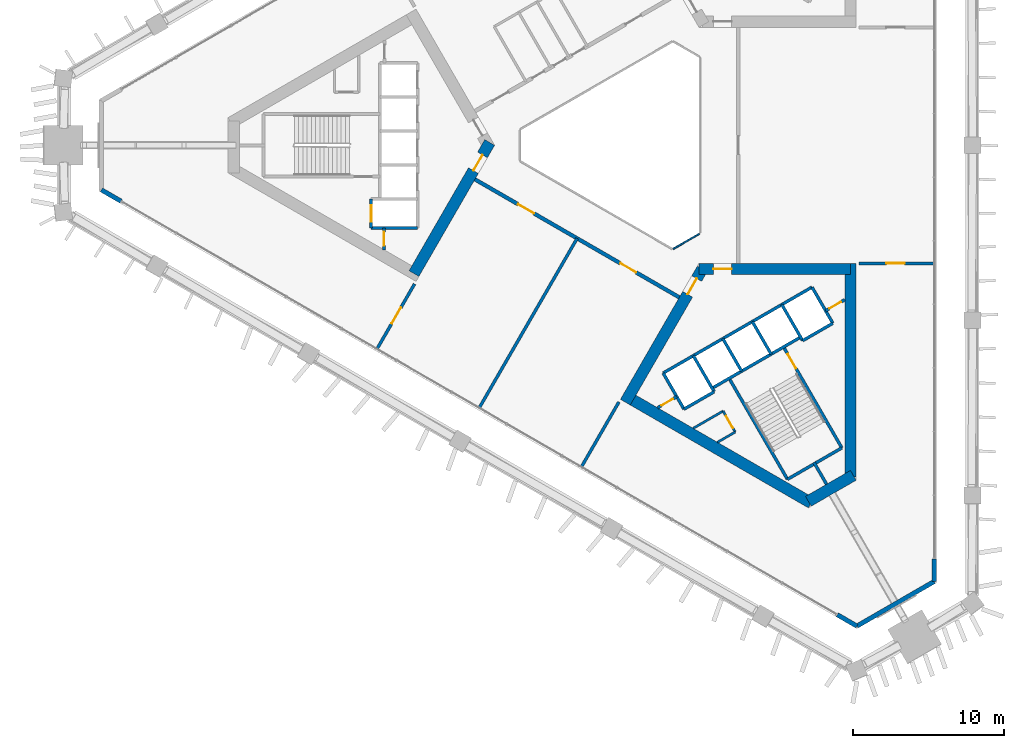
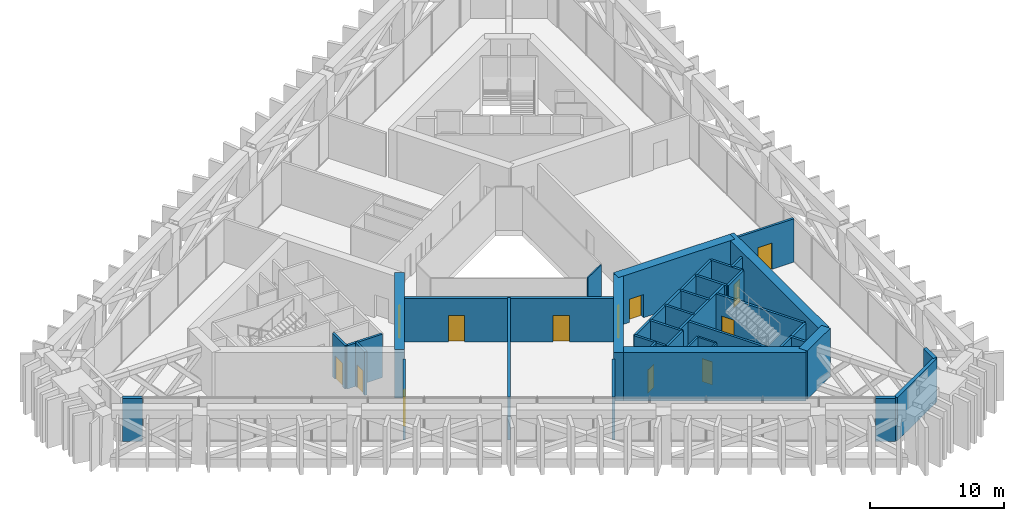
# One storey, part 12 of 17: 38 walls, 13 doors, 13 openings.
"""IFC4 building model written with IfcOpenShell, lengths in metres."""

from ifc_helpers import new_model, si_unit, direction, frame, frame_2d, origin, place, context, subcontext, project, spatial, rectangle, extrude, material, layer, layer_set, type_object, element, fill, save


model = new_model("IFC4")

# Units and contexts
model_context = context("Model", 3, precision=1e-05, world=origin(), true_north=direction((0.0, 1.0)))
body_context = subcontext(model_context, "Body", "Model", "MODEL_VIEW")
ifc_project = project(units=[si_unit("LENGTHUNIT", "METRE"), si_unit("AREAUNIT", "SQUARE_METRE"), si_unit("VOLUMEUNIT", "CUBIC_METRE"), si_unit("PLANEANGLEUNIT", "RADIAN"), si_unit("MASSUNIT", "GRAM", prefix="KILO")], contexts=[model_context])

# Site, building, storey
site_placement = place(None, origin())
site = spatial("IfcSite", under=ifc_project, at=site_placement, CompositionType="ELEMENT")
building_placement = place(site_placement, origin())
building = spatial("IfcBuilding", under=site, at=building_placement, Name="Jabali Bay Hotel Tower and Convention Centre", CompositionType="ELEMENT")
storey_placement = place(building_placement, frame((0.0, 0.0, 102.39990234375)))
storey = spatial("IfcBuildingStorey", under=building, at=storey_placement, Name="L24", CompositionType="ELEMENT", Elevation=102.39990234375)

# Wall
ifc_material_1 = material(Name="Fire-resistant glazing", Category="glass")
ifc_layer_1 = layer(ifc_material_1, 0.10009765625)
ifc_layer_set_1 = layer_set([ifc_layer_1], Name="Fire-resistant glazing")
wall_type_1 = type_object("IfcWallType", Name="Atrium glazed screen 100", PredefinedType="PARTITIONING", material=ifc_layer_set_1)
wall_1_placement = place(storey_placement, frame((77.7978515625, 73.15380859375, 0.0), z_axis=(0.0, 0.0, 1.0), x_axis=(0.866041268327, 0.499972520799, 0.0)))
element("IfcWall", 1, at=wall_1_placement, inside=storey, type_object=wall_type_1, Name="Atrium screen 6 L24", PredefinedType="PARTITIONING", context=body_context, shape_type="SweptSolid", body=[
    extrude(rectangle(XDim=2.0, YDim=0.10009765625, at=frame_2d((1.0, 0.0))), origin(), (0.0, 0.0, 1.0), 3.9501953125),
])

# Wall, opening, door
ifc_material_2 = material(Name="Concrete C40", Category="concrete")
ifc_layer_2 = layer(ifc_material_2, 0.199951171875)
ifc_layer_set_2 = layer_set([ifc_layer_2], Name="Concrete C40")
wall_type_2 = type_object("IfcWallType", Name="Core partition wall 200", PredefinedType="PARTITIONING", material=ifc_layer_set_2)
wall_2_placement = place(storey_placement, frame((58.699951171875, 74.550048828125, 0.0), z_axis=(0.0, 0.0, 1.0), x_axis=(0.0, -1.0, 0.0)))
wall_2 = element("IfcWall", 2, at=wall_2_placement, inside=storey, type_object=wall_type_2, Name="Core wall 0.12 L24", PredefinedType="PARTITIONING", context=body_context, shape_type="SweptSolid", body=[
    extrude(rectangle(XDim=1.455078125, YDim=0.199951171875, at=frame_2d((0.7275390625, 0.0))), origin(), (0.0, 0.0, 1.0), 3.9501953125),
])
opening_1_placement = place(wall_2_placement, frame((0.277587890625, 0.0, 0.0)))
opening_1 = element("IfcOpeningElement", 3, at=opening_1_placement, cuts=wall_2, Name="Opening D548", PredefinedType="OPENING", context=body_context, shape_type="SweptSolid", body=[
    extrude(rectangle(XDim=0.89990234375, YDim=2.10009765625, at=frame_2d((0.449951171875, 1.050048828125))), frame((0.0, 0.1103515625, 0.0), z_axis=(0.0, -1.0, 0.0), x_axis=(1.0, 0.0, 0.0)), (0.0, 0.0, 1.0), 0.220947265625),
])
ifc_material_3 = material(Name="Fire-rated steel door", Category="steel")
door_type_1 = type_object("IfcDoorType", Name="Vestibule fire door 900 x 2100", OperationType="NOTDEFINED", PredefinedType="NOTDEFINED", material=ifc_material_3)
door_1_placement = place(opening_1_placement, origin())
door_1 = element("IfcDoor", 4, at=door_1_placement, inside=storey, type_object=door_type_1, Name="Vestibule fire door D548", OperationType="SINGLE_SWING_LEFT", OverallHeight=2.10009765625, OverallWidth=0.89990234375, PredefinedType="NOTDEFINED", context=body_context, shape_type="SweptSolid", body=[
    extrude(rectangle(XDim=0.89990234375, YDim=2.10009765625, at=frame_2d((0.449951171875, 1.050048828125))), frame((0.0, 0.02490234375, 0.0), z_axis=(0.0, -1.0, 0.0), x_axis=(1.0, 0.0, 0.0)), (0.0, 0.0, 1.0), 0.050048828125),
])
fill(opening_1, door_1)

# Wall
wall_3_placement = place(storey_placement, frame((87.090087890625, 59.0595703125, 0.0), z_axis=(0.0, 0.0, 1.0), x_axis=(0.499937194881, -0.866061661301, 0.0)))
element("IfcWall", 5, at=wall_3_placement, inside=storey, type_object=wall_type_2, Name="Core wall 2.5 L24", PredefinedType="PARTITIONING", context=body_context, shape_type="SweptSolid", body=[
    extrude(rectangle(XDim=1.673095703125, YDim=0.199951171875, at=frame_2d((0.83642578125, 0.0))), origin(), (0.0, 0.0, 1.0), 3.9501953125),
])

# Wall, opening, door
wall_4_placement = place(storey_placement, frame((76.77001953125, 62.662109375, 0.0), z_axis=(0.0, 0.0, 1.0), x_axis=(0.866054810376, 0.49994906283, 0.0)))
wall_4 = element("IfcWall", 6, at=wall_4_placement, inside=storey, type_object=wall_type_2, Name="Core wall 2.11 L24", PredefinedType="PARTITIONING", context=body_context, shape_type="SweptSolid", body=[
    extrude(rectangle(XDim=1.461181640625, YDim=0.199951171875, at=frame_2d((0.73046875, 0.0))), origin(), (0.0, 0.0, 1.0), 3.9501953125),
])
opening_2_placement = place(wall_4_placement, frame((0.280517578125, 0.0, 0.0)))
opening_2 = element("IfcOpeningElement", 7, at=opening_2_placement, cuts=wall_4, Name="Opening D561", PredefinedType="OPENING", context=body_context, shape_type="SweptSolid", body=[
    extrude(rectangle(XDim=0.89990234375, YDim=2.10009765625, at=frame_2d((0.449951171875, 1.050048828125))), frame((0.0, 0.1103515625, 0.0), z_axis=(0.0, -1.0, 0.0), x_axis=(1.0, 0.0, 0.0)), (0.0, 0.0, 1.0), 0.220947265625),
])
door_2_placement = place(opening_2_placement, origin())
door_2 = element("IfcDoor", 8, at=door_2_placement, inside=storey, type_object=door_type_1, Name="Vestibule fire door D561", OperationType="SINGLE_SWING_LEFT", OverallHeight=2.10009765625, OverallWidth=0.89990234375, PredefinedType="NOTDEFINED", context=body_context, shape_type="SweptSolid", body=[
    extrude(rectangle(XDim=0.89990234375, YDim=2.10009765625, at=frame_2d((0.449951171875, 1.050048828125))), frame((0.0, 0.02490234375, 0.0), z_axis=(0.0, -1.0, 0.0), x_axis=(1.0, 0.0, 0.0)), (0.0, 0.0, 1.0), 0.050048828125),
])
fill(opening_2, door_2)

wall_5_placement = place(storey_placement, frame((87.86474609375, 69.067626953125, 0.0), z_axis=(0.0, 0.0, 1.0), x_axis=(0.865982457891, 0.500074377092, 0.0)))
wall_5 = element("IfcWall", 9, at=wall_5_placement, inside=storey, type_object=wall_type_2, Name="Core wall 2.12 L24", PredefinedType="PARTITIONING", context=body_context, shape_type="SweptSolid", body=[
    extrude(rectangle(XDim=1.461181640625, YDim=0.199951171875, at=frame_2d((0.73046875, 0.0))), origin(), (0.0, 0.0, 1.0), 3.9501953125),
])
opening_3_placement = place(wall_5_placement, frame((0.280517578125, 0.0, 0.0)))
opening_3 = element("IfcOpeningElement", 10, at=opening_3_placement, cuts=wall_5, Name="Opening D560", PredefinedType="OPENING", context=body_context, shape_type="SweptSolid", body=[
    extrude(rectangle(XDim=0.89990234375, YDim=2.10009765625, at=frame_2d((0.449951171875, 1.050048828125))), frame((0.0, 0.1103515625, 0.0), z_axis=(0.0, -1.0, 0.0), x_axis=(1.0, 0.0, 0.0)), (0.0, 0.0, 1.0), 0.220947265625),
])
door_3_placement = place(opening_3_placement, origin())
door_3 = element("IfcDoor", 11, at=door_3_placement, inside=storey, type_object=door_type_1, Name="Vestibule fire door D560", OperationType="SINGLE_SWING_LEFT", OverallHeight=2.10009765625, OverallWidth=0.89990234375, PredefinedType="NOTDEFINED", context=body_context, shape_type="SweptSolid", body=[
    extrude(rectangle(XDim=0.89990234375, YDim=2.10009765625, at=frame_2d((0.449951171875, 1.050048828125))), frame((0.0, 0.02490234375, 0.0), z_axis=(0.0, -1.0, 0.0), x_axis=(1.0, 0.0, 0.0)), (0.0, 0.0, 1.0), 0.050048828125),
])
fill(opening_3, door_3)

ifc_material_4 = material(Name="Fire-rated board partition")
ifc_layer_3 = layer(ifc_material_4, 0.14990234375)
ifc_layer_set_3 = layer_set([ifc_layer_3], Name="Fire-rated board partition")
wall_type_3 = type_object("IfcWallType", Name="Core room partition 150", PredefinedType="PARTITIONING", material=ifc_layer_set_3)
wall_6_placement = place(storey_placement, frame((81.093994140625, 62.445068359375, 0.0), z_axis=(0.0, 0.0, 1.0), x_axis=(0.499880961361, -0.866094119867, 0.0)))
wall_6 = element("IfcWall", 12, at=wall_6_placement, inside=storey, type_object=wall_type_3, Name="Core wall 2.1 L24", PredefinedType="PARTITIONING", context=body_context, shape_type="SweptSolid", body=[
    extrude(rectangle(XDim=1.60009765625, YDim=0.14990234375, at=frame_2d((0.800048828125, 0.0))), origin(), (0.0, 0.0, 1.0), 3.9501953125),
])
opening_4_placement = place(wall_6_placement, frame((0.387451171875, 0.0, 0.0)))
opening_4 = element("IfcOpeningElement", 13, at=opening_4_placement, cuts=wall_6, Name="Opening D563", PredefinedType="OPENING", context=body_context, shape_type="SweptSolid", body=[
    extrude(rectangle(XDim=0.89990234375, YDim=2.10009765625, at=frame_2d((0.449951171875, 1.050048828125))), frame((0.0, 0.08544921875, 0.0), z_axis=(0.0, -1.0, 0.0), x_axis=(1.0, 0.0, 0.0)), (0.0, 0.0, 1.0), 0.1708984375),
])
door_type_2 = type_object("IfcDoorType", Name="Core room door 900 x 2100", OperationType="NOTDEFINED", PredefinedType="NOTDEFINED", material=ifc_material_3)
door_4_placement = place(opening_4_placement, origin())
door_4 = element("IfcDoor", 14, at=door_4_placement, inside=storey, type_object=door_type_2, Name="Core room door D563", OperationType="SINGLE_SWING_LEFT", OverallHeight=2.10009765625, OverallWidth=0.89990234375, PredefinedType="NOTDEFINED", context=body_context, shape_type="SweptSolid", body=[
    extrude(rectangle(XDim=0.89990234375, YDim=2.10009765625, at=frame_2d((0.449951171875, 1.050048828125))), frame((0.0, 0.02490234375, 0.0), z_axis=(0.0, -1.0, 0.0), x_axis=(1.0, 0.0, 0.0)), (0.0, 0.0, 1.0), 0.050048828125),
])
fill(opening_4, door_4)

# Walls
wall_7_placement = place(storey_placement, frame((79.119873046875, 61.305419921875, 0.0), z_axis=(0.0, 0.0, 1.0), x_axis=(0.866046471269, 0.499963508271, 0.0)))
element("IfcWall", 15, at=wall_7_placement, inside=storey, type_object=wall_type_3, Name="Core wall 2.16 L24", PredefinedType="PARTITIONING", context=body_context, shape_type="SweptSolid", body=[
    extrude(rectangle(XDim=2.279541015625, YDim=0.14990234375, at=frame_2d((1.1396484375, 0.0))), origin(), (0.0, 0.0, 1.0), 3.9501953125),
])
wall_8_placement = place(storey_placement, frame((80.719970703125, 60.381591796875, 0.0), z_axis=(0.0, 0.0, 1.0), x_axis=(0.866017611601, 0.500013496215, 0.0)))
element("IfcWall", 16, at=wall_8_placement, inside=storey, type_object=wall_type_3, Name="Core wall 2.17 L24", PredefinedType="PARTITIONING", context=body_context, shape_type="SweptSolid", body=[
    extrude(rectangle(XDim=1.35546875, YDim=0.14990234375, at=frame_2d((0.677734375, 0.0))), origin(), (0.0, 0.0, 1.0), 3.9501953125),
])
ifc_layer_4 = layer(ifc_material_2, 0.199951171875)
ifc_layer_set_4 = layer_set([ifc_layer_4], Name="Concrete C40")
wall_type_4 = type_object("IfcWallType", Name="Core stair wall 200", PredefinedType="SOLIDWALL", material=ifc_layer_set_4)
wall_9_placement = place(storey_placement, frame((60.89990234375, 74.550048828125, 0.0), z_axis=(0.0, 0.0, 1.0), x_axis=(-1.0, 0.0, 0.0)))
element("IfcWall", 17, at=wall_9_placement, inside=storey, type_object=wall_type_4, Name="Core wall 0.9 L24", PredefinedType="SOLIDWALL", context=body_context, shape_type="SweptSolid", body=[
    extrude(rectangle(XDim=3.0498046875, YDim=0.199951171875, at=frame_2d((1.52490234375, 0.0))), origin(), (0.0, 0.0, 1.0), 3.9501953125),
])

# Wall, opening, door
wall_10_placement = place(storey_placement, frame((57.85009765625, 76.449951171875, 0.0), z_axis=(0.0, 0.0, 1.0), x_axis=(0.0, -1.0, 0.0)))
wall_10 = element("IfcWall", 18, at=wall_10_placement, inside=storey, type_object=wall_type_4, Name="Core wall 0.14 L24", PredefinedType="SOLIDWALL", context=body_context, shape_type="SweptSolid", body=[
    extrude(rectangle(XDim=1.89990234375, YDim=0.199951171875, at=frame_2d((0.949951171875, 0.0))), origin(), (0.0, 0.0, 1.0), 3.9501953125),
])
opening_5_placement = place(wall_10_placement, frame((0.39990234375, 0.0, 0.0)))
opening_5 = element("IfcOpeningElement", 19, at=opening_5_placement, cuts=wall_10, Name="Opening LD5-L24", PredefinedType="OPENING", context=body_context, shape_type="SweptSolid", body=[
    extrude(rectangle(XDim=1.10009765625, YDim=2.10009765625, at=frame_2d((0.550048828125, 1.050048828125))), frame((0.0, 0.1103515625, 0.0), z_axis=(0.0, -1.0, 0.0), x_axis=(1.0, 0.0, 0.0)), (0.0, 0.0, 1.0), 0.220947265625),
])
ifc_material_5 = material(Name="Stainless steel landing door", Category="steel")
door_type_3 = type_object("IfcDoorType", Name="Landing door 1100 x 2100", OperationType="NOTDEFINED", PredefinedType="NOTDEFINED", material=ifc_material_5)
door_5_placement = place(opening_5_placement, origin())
door_5 = element("IfcDoor", 20, at=door_5_placement, inside=storey, type_object=door_type_3, Name="Landing doors LD5-L24", OperationType="SLIDING_TO_RIGHT", OverallHeight=2.10009765625, OverallWidth=1.10009765625, PredefinedType="NOTDEFINED", context=body_context, shape_type="SweptSolid", body=[
    extrude(rectangle(XDim=1.10009765625, YDim=2.10009765625, at=frame_2d((0.550048828125, 1.050048828125))), frame((0.0, 0.02490234375, 0.0), z_axis=(0.0, -1.0, 0.0), x_axis=(1.0, 0.0, 0.0)), (0.0, 0.0, 1.0), 0.050048828125),
])
fill(opening_5, door_5)

# Walls
for number, where, z_axis, x_axis, name in (
    (21, (77.13525390625, 64.95166015625, 0.0), (0.0, 0.0, 1.0), (0.499996545922, -0.866027397988, 0.0), "Core wall 2.0 L24"),
    (22, (79.127197265625, 66.1015625, 0.0), (0.0, 0.0, 1.0), (0.499996545922, -0.866027397988, 0.0), "Core wall 2.2 L24"),
):
    element("IfcWall", number, at=place(storey_placement, frame(where, z_axis=z_axis, x_axis=x_axis)), inside=storey, type_object=wall_type_4, Name=name, PredefinedType="SOLIDWALL", context=body_context, shape_type="SweptSolid", body=[
        extrude(rectangle(XDim=2.75, YDim=0.199951171875, at=frame_2d((1.375, 0.0))), origin(), (0.0, 0.0, 1.0), 3.9501953125),
    ])
wall_11_placement = place(storey_placement, frame((81.492919921875, 64.603759765625, 0.0), z_axis=(0.0, 0.0, 1.0), x_axis=(0.500006057782, -0.866021906294, 0.0)))
element("IfcWall", 23, at=wall_11_placement, inside=storey, type_object=wall_type_4, Name="Core wall 2.3 L24", PredefinedType="SOLIDWALL", context=body_context, shape_type="SweptSolid", body=[
    extrude(rectangle(XDim=7.7001953125, YDim=0.199951171875, at=frame_2d((3.85009765625, 0.0))), origin(), (0.0, 0.0, 1.0), 3.9501953125),
])
for number, where, z_axis, x_axis, name in (
    (24, (81.07568359375, 67.2265625, 0.0), (0.0, 0.0, 1.0), (0.50000366821, -0.866023285932, 0.0), "Core wall 2.4 L24"),
    (25, (83.024169921875, 68.3515625, 0.0), (0.0, 0.0, 1.0), (0.50000366821, -0.866023285932, 0.0), "Core wall 2.6 L24"),
):
    element("IfcWall", number, at=place(storey_placement, frame(where, z_axis=z_axis, x_axis=x_axis)), inside=storey, type_object=wall_type_4, Name=name, PredefinedType="SOLIDWALL", context=body_context, shape_type="SweptSolid", body=[
        extrude(rectangle(XDim=2.47998046875, YDim=0.199951171875, at=frame_2d((1.239990234375, 0.0))), origin(), (0.0, 0.0, 1.0), 3.9501953125),
    ])

# Wall, opening, door
wall_12_placement = place(storey_placement, frame((85.0869140625, 66.6787109375, 0.0), z_axis=(0.0, 0.0, 1.0), x_axis=(0.500019787375, -0.866013979237, 0.0)))
wall_12 = element("IfcWall", 26, at=wall_12_placement, inside=storey, type_object=wall_type_4, Name="Core wall 2.7 L24", PredefinedType="SOLIDWALL", context=body_context, shape_type="SweptSolid", body=[
    extrude(rectangle(XDim=7.699951171875, YDim=0.199951171875, at=frame_2d((3.85009765625, 0.0))), origin(), (0.0, 0.0, 1.0), 3.9501953125),
])
opening_6_placement = place(wall_12_placement, frame((0.550048828125, 0.0, 0.0)))
opening_6 = element("IfcOpeningElement", 27, at=opening_6_placement, cuts=wall_12, Name="Opening D562", PredefinedType="OPENING", context=body_context, shape_type="SweptSolid", body=[
    extrude(rectangle(XDim=1.10009765625, YDim=2.10009765625, at=frame_2d((0.550048828125, 1.050048828125))), frame((0.0, 0.1103515625, 0.0), z_axis=(0.0, -1.0, 0.0), x_axis=(1.0, 0.0, 0.0)), (0.0, 0.0, 1.0), 0.220947265625),
])
door_type_4 = type_object("IfcDoorType", Name="Stair fire door 1100 x 2100", OperationType="NOTDEFINED", PredefinedType="NOTDEFINED", material=ifc_material_3)
door_6_placement = place(opening_6_placement, origin())
door_6 = element("IfcDoor", 28, at=door_6_placement, inside=storey, type_object=door_type_4, Name="Stair fire door D562", OperationType="SINGLE_SWING_RIGHT", OverallHeight=2.10009765625, OverallWidth=1.10009765625, PredefinedType="NOTDEFINED", context=body_context, shape_type="SweptSolid", body=[
    extrude(rectangle(XDim=1.10009765625, YDim=2.10009765625, at=frame_2d((0.550048828125, 1.050048828125))), frame((0.0, 0.02490234375, 0.0), z_axis=(0.0, -1.0, 0.0), x_axis=(1.0, 0.0, 0.0)), (0.0, 0.0, 1.0), 0.050048828125),
])
fill(opening_6, door_6)

# Walls
for number, where, z_axis, x_axis, name in (
    (29, (84.972900390625, 69.4765625, 0.0), (0.0, 0.0, 1.0), (0.499996545922, -0.866027397988, 0.0), "Core wall 2.8 L24"),
    (30, (86.964599609375, 70.62646484375, 0.0), (0.0, 0.0, 1.0), (0.499996545922, -0.866027397988, 0.0), "Core wall 2.9 L24"),
):
    element("IfcWall", number, at=place(storey_placement, frame(where, z_axis=z_axis, x_axis=x_axis)), inside=storey, type_object=wall_type_4, Name=name, PredefinedType="SOLIDWALL", context=body_context, shape_type="SweptSolid", body=[
        extrude(rectangle(XDim=2.75, YDim=0.199951171875, at=frame_2d((1.375, 0.0))), origin(), (0.0, 0.0, 1.0), 3.9501953125),
    ])
wall_13_placement = place(storey_placement, frame((77.13525390625, 64.95166015625, 0.0), z_axis=(0.0, 0.0, 1.0), x_axis=(0.866031916153, 0.499988720078, 0.0)))
element("IfcWall", 31, at=wall_13_placement, inside=storey, type_object=wall_type_4, Name="Core wall 2.10 L24", PredefinedType="SOLIDWALL", context=body_context, shape_type="SweptSolid", body=[
    extrude(rectangle(XDim=11.349853515625, YDim=0.199951171875, at=frame_2d((5.6748046875, 0.0))), origin(), (0.0, 0.0, 1.0), 3.9501953125),
])
wall_14_placement = place(storey_placement, frame((80.3671875, 63.953857421875, 0.0), z_axis=(0.0, 0.0, 1.0), x_axis=(0.866026575979, 0.499997969693, 0.0)))
element("IfcWall", 32, at=wall_14_placement, inside=storey, type_object=wall_type_4, Name="Core wall 2.13 L24", PredefinedType="SOLIDWALL", context=body_context, shape_type="SweptSolid", body=[
    extrude(rectangle(XDim=6.75, YDim=0.199951171875, at=frame_2d((3.375, 0.0))), origin(), (0.0, 0.0, 1.0), 3.9501953125),
])
wall_15_placement = place(storey_placement, frame((78.51025390625, 62.570068359375, 0.0), z_axis=(0.0, 0.0, 1.0), x_axis=(0.866053019151, 0.499952165731, 0.0)))
element("IfcWall", 33, at=wall_15_placement, inside=storey, type_object=wall_type_4, Name="Core wall 2.14 L24", PredefinedType="SOLIDWALL", context=body_context, shape_type="SweptSolid", body=[
    extrude(rectangle(XDim=2.300048828125, YDim=0.199951171875, at=frame_2d((1.14990234375, 0.0))), origin(), (0.0, 0.0, 1.0), 3.9501953125),
])
wall_16_placement = place(storey_placement, frame((86.347900390625, 67.094970703125, 0.0), z_axis=(0.0, 0.0, 1.0), x_axis=(0.86602648383, 0.499998129301, 0.0)))
element("IfcWall", 34, at=wall_16_placement, inside=storey, type_object=wall_type_4, Name="Core wall 2.15 L24", PredefinedType="SOLIDWALL", context=body_context, shape_type="SweptSolid", body=[
    extrude(rectangle(XDim=2.2998046875, YDim=0.199951171875, at=frame_2d((1.14990234375, 0.0))), origin(), (0.0, 0.0, 1.0), 3.9501953125),
])
wall_17_placement = place(storey_placement, frame((85.343017578125, 57.935302734375, 0.0), z_axis=(0.0, 0.0, 1.0), x_axis=(0.866004344652, 0.500036473714, 0.0)))
element("IfcWall", 35, at=wall_17_placement, inside=storey, type_object=wall_type_4, Name="Core wall 2.18 L24", PredefinedType="SOLIDWALL", context=body_context, shape_type="SweptSolid", body=[
    extrude(rectangle(XDim=4.150146484375, YDim=0.199951171875, at=frame_2d((2.0751953125, 0.0))), origin(), (0.0, 0.0, 1.0), 3.9501953125),
])

# Wall, opening, door
ifc_material_6 = material(Name="Concrete C60", Category="concrete")
ifc_layer_5 = layer(ifc_material_6, 0.75)
ifc_layer_set_5 = layer_set([ifc_layer_5], Name="Concrete C60")
wall_type_5 = type_object("IfcWallType", Name="Core wall 750", PredefinedType="SHEAR", material=ifc_layer_set_5)
wall_18_placement = place(storey_placement, frame((60.6728515625, 71.52294921875, 0.0), z_axis=(0.0, 0.0, 1.0), x_axis=(0.499997052475, 0.866027105532, 0.0)))
wall_18 = element("IfcWall", 36, at=wall_18_placement, inside=storey, type_object=wall_type_5, Name="Core wall 1.5 L24", PredefinedType="SHEAR", context=body_context, shape_type="SweptSolid", body=[
    extrude(rectangle(XDim=10.0048828125, YDim=0.75, at=frame_2d((5.00244140625, 0.0))), origin(), (0.0, 0.0, 1.0), 4.400146484375),
])
opening_7_placement = place(wall_18_placement, frame((7.85498046875, 0.0, 0.0)))
opening_7 = element("IfcOpeningElement", 37, at=opening_7_placement, cuts=wall_18, Name="Opening D547", PredefinedType="OPENING", context=body_context, shape_type="SweptSolid", body=[
    extrude(rectangle(XDim=1.199951171875, YDim=2.10009765625, at=frame_2d((0.60009765625, 1.050048828125))), frame((0.0, 0.385498046875, 0.0), z_axis=(0.0, -1.0, 0.0), x_axis=(1.0, 0.0, 0.0)), (0.0, 0.0, 1.0), 0.77099609375),
])
door_type_5 = type_object("IfcDoorType", Name="Corridor end fire door 1200 x 2100", OperationType="NOTDEFINED", PredefinedType="NOTDEFINED", material=ifc_material_3)
door_7_placement = place(opening_7_placement, origin())
door_7 = element("IfcDoor", 38, at=door_7_placement, inside=storey, type_object=door_type_5, Name="Corridor end fire door D547", OperationType="SINGLE_SWING_LEFT", OverallHeight=2.10009765625, OverallWidth=1.199951171875, PredefinedType="NOTDEFINED", context=body_context, shape_type="SweptSolid", body=[
    extrude(rectangle(XDim=1.199951171875, YDim=2.10009765625, at=frame_2d((0.60009765625, 1.050048828125))), frame((0.0, 0.02490234375, 0.0), z_axis=(0.0, -1.0, 0.0), x_axis=(1.0, 0.0, 0.0)), (0.0, 0.0, 1.0), 0.050048828125),
])
fill(opening_7, door_7)

wall_19_placement = place(storey_placement, frame((79.716552734375, 71.830810546875, 0.0), z_axis=(0.0, 0.0, 1.0), x_axis=(-0.499996230114, -0.866027580318, 0.0)))
wall_19 = element("IfcWall", 39, at=wall_19_placement, inside=storey, type_object=wall_type_5, Name="Core wall 3.1 L24", PredefinedType="SHEAR", context=body_context, shape_type="SweptSolid", body=[
    extrude(rectangle(XDim=10.16357421875, YDim=0.75, at=frame_2d((5.081787109375, 0.0))), origin(), (0.0, 0.0, 1.0), 4.400146484375),
])
opening_8_placement = place(wall_19_placement, frame((0.7333984375, 0.0, 0.0)))
opening_8 = element("IfcOpeningElement", 40, at=opening_8_placement, cuts=wall_19, Name="Opening D558", PredefinedType="OPENING", context=body_context, shape_type="SweptSolid", body=[
    extrude(rectangle(XDim=1.199951171875, YDim=2.10009765625, at=frame_2d((0.60009765625, 1.050048828125))), frame((0.0, 0.385498046875, 0.0), z_axis=(0.0, -1.0, 0.0), x_axis=(1.0, 0.0, 0.0)), (0.0, 0.0, 1.0), 0.77099609375),
])
door_8_placement = place(opening_8_placement, origin())
door_8 = element("IfcDoor", 41, at=door_8_placement, inside=storey, type_object=door_type_5, Name="Corridor end fire door D558", OperationType="SINGLE_SWING_RIGHT", OverallHeight=2.10009765625, OverallWidth=1.199951171875, PredefinedType="NOTDEFINED", context=body_context, shape_type="SweptSolid", body=[
    extrude(rectangle(XDim=1.199951171875, YDim=2.10009765625, at=frame_2d((0.60009765625, 1.050048828125))), frame((0.0, 0.02490234375, 0.0), z_axis=(0.0, -1.0, 0.0), x_axis=(1.0, 0.0, 0.0)), (0.0, 0.0, 1.0), 0.050048828125),
])
fill(opening_8, door_8)

# Walls
wall_20_placement = place(storey_placement, frame((74.822265625, 63.353759765625, 0.0), z_axis=(0.0, 0.0, 1.0), x_axis=(0.8660248072, -0.500001033313, 0.0)))
element("IfcWall", 42, at=wall_20_placement, inside=storey, type_object=wall_type_5, Name="Core wall 3.2 L24", PredefinedType="SHEAR", context=body_context, shape_type="SweptSolid", body=[
    extrude(rectangle(XDim=13.95849609375, YDim=0.75, at=frame_2d((6.979248046875, 0.0))), origin(), (0.0, 0.0, 1.0), 4.400146484375),
])
wall_21_placement = place(storey_placement, frame((86.72314453125, 56.482666015625, 0.0), z_axis=(0.0, 0.0, 1.0), x_axis=(0.866017201164, 0.500014207086, 0.0)))
element("IfcWall", 43, at=wall_21_placement, inside=storey, type_object=wall_type_5, Name="Core wall 3.3 L24", PredefinedType="SHEAR", context=body_context, shape_type="SweptSolid", body=[
    extrude(rectangle(XDim=3.4287109375, YDim=0.75, at=frame_2d((1.71435546875, 0.0))), origin(), (0.0, 0.0, 1.0), 4.400146484375),
])
wall_22_placement = place(storey_placement, frame((89.5048828125, 58.0888671875, 0.0), z_axis=(0.0, 0.0, 1.0), x_axis=(0.0, 1.0, 0.0)))
element("IfcWall", 44, at=wall_22_placement, inside=storey, type_object=wall_type_5, Name="Core wall 3.4 L24", PredefinedType="SHEAR", context=body_context, shape_type="SweptSolid", body=[
    extrude(rectangle(XDim=14.116943359375, YDim=0.75, at=frame_2d((7.05859375, 0.0))), origin(), (0.0, 0.0, 1.0), 4.400146484375),
])

# Wall, opening, door
wall_23_placement = place(storey_placement, frame((89.5048828125, 71.830810546875, 0.0), z_axis=(0.0, 0.0, 1.0), x_axis=(-1.0, 0.0, 0.0)))
wall_23 = element("IfcWall", 45, at=wall_23_placement, inside=storey, type_object=wall_type_5, Name="Core wall 3.5 L24", PredefinedType="SHEAR", context=body_context, shape_type="SweptSolid", body=[
    extrude(rectangle(XDim=10.0048828125, YDim=0.75, at=frame_2d((5.00244140625, 0.0))), origin(), (0.0, 0.0, 1.0), 4.400146484375),
])
opening_9_placement = place(wall_23_placement, frame((7.85498046875, 0.0, 0.0)))
opening_9 = element("IfcOpeningElement", 46, at=opening_9_placement, cuts=wall_23, Name="Opening D559", PredefinedType="OPENING", context=body_context, shape_type="SweptSolid", body=[
    extrude(rectangle(XDim=1.199951171875, YDim=2.10009765625, at=frame_2d((0.60009765625, 1.050048828125))), frame((0.0, 0.385498046875, 0.0), z_axis=(0.0, -1.0, 0.0), x_axis=(1.0, 0.0, 0.0)), (0.0, 0.0, 1.0), 0.77099609375),
])
door_9_placement = place(opening_9_placement, origin())
door_9 = element("IfcDoor", 47, at=door_9_placement, inside=storey, type_object=door_type_5, Name="Corridor end fire door D559", OperationType="SINGLE_SWING_LEFT", OverallHeight=2.10009765625, OverallWidth=1.199951171875, PredefinedType="NOTDEFINED", context=body_context, shape_type="SweptSolid", body=[
    extrude(rectangle(XDim=1.199951171875, YDim=2.10009765625, at=frame_2d((0.60009765625, 1.050048828125))), frame((0.0, 0.02490234375, 0.0), z_axis=(0.0, -1.0, 0.0), x_axis=(1.0, 0.0, 0.0)), (0.0, 0.0, 1.0), 0.050048828125),
])
fill(opening_9, door_9)

# Wall, openings, doors
ifc_layer_6 = layer(ifc_material_6, 0.25)
ifc_layer_set_6 = layer_set([ifc_layer_6], Name="Concrete C60")
wall_type_6 = type_object("IfcWallType", Name="Corridor wall 250", PredefinedType="SHEAR", material=ifc_layer_set_6)
wall_24_placement = place(storey_placement, frame((64.699951171875, 77.748291015625, 0.0), z_axis=(0.0, 0.0, 1.0), x_axis=(0.866026492143, -0.499998114903, 0.0)))
wall_24 = element("IfcWall", 48, at=wall_24_placement, inside=storey, type_object=wall_type_6, Name="Corridor wall 3 L24", PredefinedType="SHEAR", context=body_context, shape_type="SweptSolid", body=[
    extrude(rectangle(XDim=15.58837890625, YDim=0.25, at=frame_2d((7.794189453125, 0.0))), origin(), (0.0, 0.0, 1.0), 3.9501953125),
])
opening_10_placement = place(wall_24_placement, frame((3.297119140625, 0.0, 0.0)))
opening_10 = element("IfcOpeningElement", 49, at=opening_10_placement, cuts=wall_24, Name="Opening 2407", PredefinedType="OPENING", context=body_context, shape_type="SweptSolid", body=[
    extrude(rectangle(XDim=1.199951171875, YDim=2.39990234375, at=frame_2d((0.60009765625, 1.199951171875))), frame((0.0, 0.135498046875, 0.0), z_axis=(0.0, -1.0, 0.0), x_axis=(1.0, 0.0, 0.0)), (0.0, 0.0, 1.0), 0.27099609375),
])
opening_11_placement = place(wall_24_placement, frame((11.09130859375, 0.0, 0.0)))
opening_11 = element("IfcOpeningElement", 50, at=opening_11_placement, cuts=wall_24, Name="Opening 2408", PredefinedType="OPENING", context=body_context, shape_type="SweptSolid", body=[
    extrude(rectangle(XDim=1.199951171875, YDim=2.39990234375, at=frame_2d((0.60009765625, 1.199951171875))), frame((0.0, 0.135498046875, 0.0), z_axis=(0.0, -1.0, 0.0), x_axis=(1.0, 0.0, 0.0)), (0.0, 0.0, 1.0), 0.27099609375),
])
ifc_material_7 = material(Name="Timber", Category="wood")
door_type_6 = type_object("IfcDoorType", Name="Public room door 1200 x 2400", OperationType="NOTDEFINED", PredefinedType="NOTDEFINED", material=ifc_material_7)
door_10_placement = place(opening_10_placement, origin())
door_10 = element("IfcDoor", 51, at=door_10_placement, inside=storey, type_object=door_type_6, Name="Door 2407", OperationType="SINGLE_SWING_LEFT", OverallHeight=2.39990234375, OverallWidth=1.199951171875, PredefinedType="NOTDEFINED", context=body_context, shape_type="SweptSolid", body=[
    extrude(rectangle(XDim=1.199951171875, YDim=2.39990234375, at=frame_2d((0.60009765625, 1.199951171875))), frame((0.0, 0.02490234375, 0.0), z_axis=(0.0, -1.0, 0.0), x_axis=(1.0, 0.0, 0.0)), (0.0, 0.0, 1.0), 0.050048828125),
])
fill(opening_10, door_10)
door_11_placement = place(opening_11_placement, origin())
door_11 = element("IfcDoor", 52, at=door_11_placement, inside=storey, type_object=door_type_6, Name="Door 2408", OperationType="SINGLE_SWING_RIGHT", OverallHeight=2.39990234375, OverallWidth=1.199951171875, PredefinedType="NOTDEFINED", context=body_context, shape_type="SweptSolid", body=[
    extrude(rectangle(XDim=1.199951171875, YDim=2.39990234375, at=frame_2d((0.60009765625, 1.199951171875))), frame((0.0, 0.02490234375, 0.0), z_axis=(0.0, -1.0, 0.0), x_axis=(1.0, 0.0, 0.0)), (0.0, 0.0, 1.0), 0.050048828125),
])
fill(opening_11, door_11)

# Walls
ifc_layer_7 = layer(ifc_material_2, 0.300048828125)
ifc_layer_set_7 = layer_set([ifc_layer_7], Name="Concrete C40")
wall_type_7 = type_object("IfcWallType", Name="External wall 300", PredefinedType="SOLIDWALL", material=ifc_layer_set_7)
wall_25_placement = place(storey_placement, frame((95.038330078125, 51.188720703125, 0.0), z_axis=(0.0, 0.0, 1.0), x_axis=(-0.86603043987, -0.499991277142, 0.0)))
element("IfcWall", 53, at=wall_25_placement, inside=storey, type_object=wall_type_7, Name="External wall south-east chamfer L24", PredefinedType="SOLIDWALL", context=body_context, shape_type="SweptSolid", body=[
    extrude(rectangle(XDim=5.89599609375, YDim=0.300048828125, at=frame_2d((2.947998046875, 0.0))), origin(), (0.0, 0.0, 1.0), 3.9501953125),
])
for number, where, z_axis, x_axis, name in (
    (54, (95.038330078125, 52.688720703125, 0.0), (0.0, 0.0, 1.0), (0.0, -1.0, 0.0), "External wall east face L24"),
    (55, (41.32861328125, 76.302001953125, 0.0), (0.0, 0.0, 1.0), (-0.866031096941, 0.499990139034, 0.0), "External wall south-west face L24"),
    (56, (89.93212890625, 48.24072265625, 0.0), (0.0, 0.0, 1.0), (-0.866031096941, 0.499990139034, 0.0), "External wall south-west face L24"),
):
    element("IfcWall", number, at=place(storey_placement, frame(where, z_axis=z_axis, x_axis=x_axis)), inside=storey, type_object=wall_type_7, Name=name, PredefinedType="SOLIDWALL", context=body_context, shape_type="SweptSolid", body=[
        extrude(rectangle(XDim=1.5, YDim=0.300048828125, at=frame_2d((0.75, 0.0))), origin(), (0.0, 0.0, 1.0), 3.9501953125),
    ])

# Wall, opening, door
ifc_material_8 = material(Name="Plasterboard on steel stud", Category="steel")
ifc_layer_8 = layer(ifc_material_8, 0.199951171875)
ifc_layer_set_8 = layer_set([ifc_layer_8], Name="Plasterboard on steel stud")
wall_type_8 = type_object("IfcWallType", Name="Partition 200 party", PredefinedType="PARTITIONING", material=ifc_layer_set_8)
wall_26_placement = place(storey_placement, frame((94.984375, 72.205810546875, 0.0), z_axis=(0.0, 0.0, 1.0), x_axis=(-1.0, 0.0, 0.0)))
wall_26 = element("IfcWall", 57, at=wall_26_placement, inside=storey, type_object=wall_type_8, Name="Partition P01 L24 002", PredefinedType="PARTITIONING", context=body_context, shape_type="SweptSolid", body=[
    extrude(rectangle(XDim=4.9052734375, YDim=0.199951171875, at=frame_2d((2.45263671875, 0.0))), origin(), (0.0, 0.0, 1.0), 3.9501953125),
])
opening_12_placement = place(wall_26_placement, frame((1.89990234375, 0.0, 0.0)))
opening_12 = element("IfcOpeningElement", 58, at=opening_12_placement, cuts=wall_26, Name="Opening 2411", PredefinedType="OPENING", context=body_context, shape_type="SweptSolid", body=[
    extrude(rectangle(XDim=1.199951171875, YDim=2.39990234375, at=frame_2d((0.60009765625, 1.199951171875))), frame((0.0, 0.1103515625, 0.0), z_axis=(0.0, -1.0, 0.0), x_axis=(1.0, 0.0, 0.0)), (0.0, 0.0, 1.0), 0.220947265625),
])
door_12_placement = place(opening_12_placement, origin())
door_12 = element("IfcDoor", 59, at=door_12_placement, inside=storey, type_object=door_type_6, Name="Door 2411", OperationType="SINGLE_SWING_LEFT", OverallHeight=2.39990234375, OverallWidth=1.199951171875, PredefinedType="NOTDEFINED", context=body_context, shape_type="SweptSolid", body=[
    extrude(rectangle(XDim=1.199951171875, YDim=2.39990234375, at=frame_2d((0.60009765625, 1.199951171875))), frame((0.0, 0.02490234375, 0.0), z_axis=(0.0, -1.0, 0.0), x_axis=(1.0, 0.0, 0.0)), (0.0, 0.0, 1.0), 0.050048828125),
])
fill(opening_12, door_12)

# Wall
wall_27_placement = place(storey_placement, frame((65.0078125, 62.693115234375, 0.0), z_axis=(0.0, 0.0, 1.0), x_axis=(0.499996920331, 0.866027181825, 0.0)))
element("IfcWall", 60, at=wall_27_placement, inside=storey, type_object=wall_type_8, Name="Partition P01 L24 011", PredefinedType="PARTITIONING", context=body_context, shape_type="SweptSolid", body=[
    extrude(rectangle(XDim=12.88427734375, YDim=0.199951171875, at=frame_2d((6.442138671875, 0.0))), origin(), (0.0, 0.0, 1.0), 3.9501953125),
])

# Wall, opening, door
wall_28_placement = place(storey_placement, frame((58.2578125, 66.590087890625, 0.0), z_axis=(0.0, 0.0, 1.0), x_axis=(0.499982380289, 0.86603557629, 0.0)))
wall_28 = element("IfcWall", 61, at=wall_28_placement, inside=storey, type_object=wall_type_8, Name="Partition P01 L24 012", PredefinedType="PARTITIONING", context=body_context, shape_type="SweptSolid", body=[
    extrude(rectangle(XDim=4.905517578125, YDim=0.199951171875, at=frame_2d((2.45263671875, 0.0))), origin(), (0.0, 0.0, 1.0), 3.9501953125),
])
opening_13_placement = place(wall_28_placement, frame((1.89990234375, 0.0, 0.0)))
opening_13 = element("IfcOpeningElement", 62, at=opening_13_placement, cuts=wall_28, Name="Opening 2409", PredefinedType="OPENING", context=body_context, shape_type="SweptSolid", body=[
    extrude(rectangle(XDim=1.199951171875, YDim=2.39990234375, at=frame_2d((0.60009765625, 1.199951171875))), frame((0.0, 0.1103515625, 0.0), z_axis=(0.0, -1.0, 0.0), x_axis=(1.0, 0.0, 0.0)), (0.0, 0.0, 1.0), 0.220947265625),
])
door_13_placement = place(opening_13_placement, origin())
door_13 = element("IfcDoor", 63, at=door_13_placement, inside=storey, type_object=door_type_6, Name="Door 2409", OperationType="SINGLE_SWING_LEFT", OverallHeight=2.39990234375, OverallWidth=1.199951171875, PredefinedType="NOTDEFINED", context=body_context, shape_type="SweptSolid", body=[
    extrude(rectangle(XDim=1.199951171875, YDim=2.39990234375, at=frame_2d((0.60009765625, 1.199951171875))), frame((0.0, 0.02490234375, 0.0), z_axis=(0.0, -1.0, 0.0), x_axis=(1.0, 0.0, 0.0)), (0.0, 0.0, 1.0), 0.050048828125),
])
fill(opening_13, door_13)

# Wall
wall_29_placement = place(storey_placement, frame((74.21044921875, 63.044189453125, 0.0), z_axis=(0.0, 0.0, 1.0), x_axis=(-0.499982380289, -0.86603557629, 0.0)))
element("IfcWall", 64, at=wall_29_placement, inside=storey, type_object=wall_type_8, Name="Partition P01 L24 013", PredefinedType="PARTITIONING", context=body_context, shape_type="SweptSolid", body=[
    extrude(rectangle(XDim=4.905517578125, YDim=0.199951171875, at=frame_2d((2.45263671875, 0.0))), origin(), (0.0, 0.0, 1.0), 3.9501953125),
])

save(model, "model.ifc")
